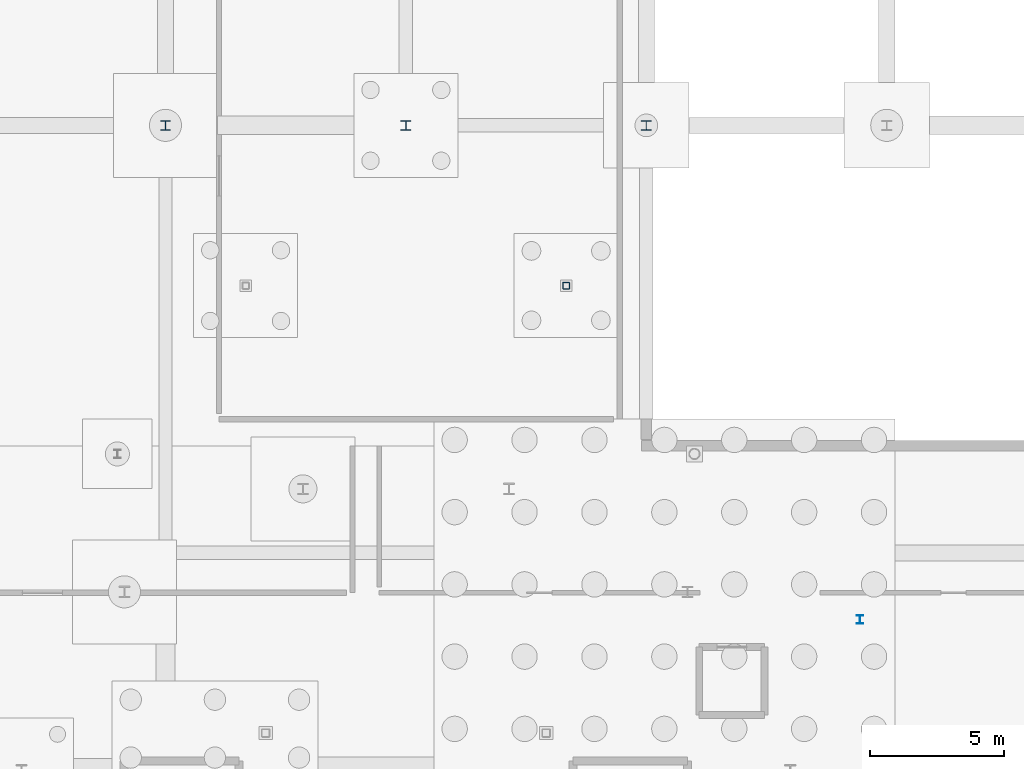
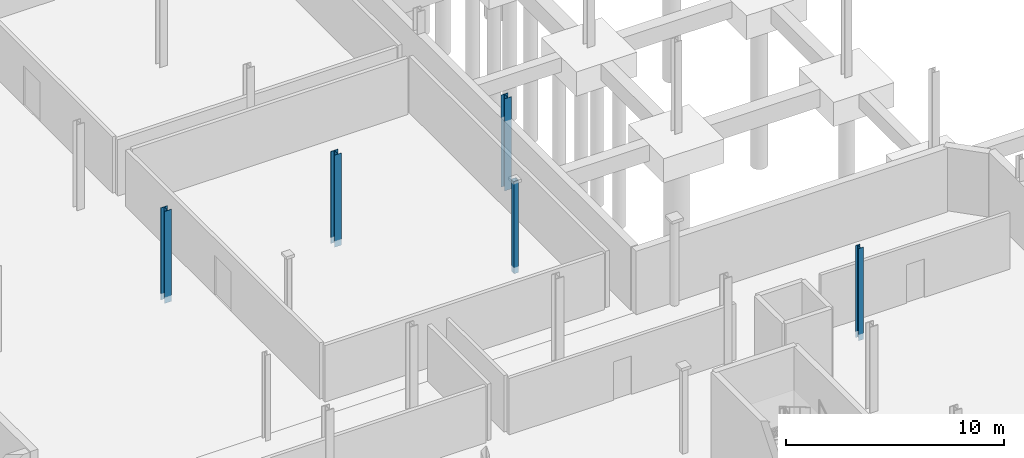
# One storey, part 18 of 37: 5 columns.
"""IFC4 building model written with IfcOpenShell, lengths in metres."""

import ifcopenshell
import ifcopenshell.guid

model = None  # the IFC model being written
_history = None  # IfcOwnerHistory: only IFC2X3 demands one
_inside = {}  # id of a spatial element -> (the spatial element, [elements in it])
_under = {}  # id of a project, library or spatial element -> (it, [spatial elements below it])
_declared = {}  # id of a project -> (the project, [libraries it declares])
_typed = {}  # id of a type object -> (the type object, [elements of that type])
_made_of = {}  # id of a material, layer set ... -> (it, [elements and type objects made of it])


def new_model(schema):
    """Start an empty IFC model of exactly this schema.

    Asked for "IFC4X3", IfcOpenShell would pick the latest addendum, in which some entities
    have other attributes; the version numbers below select the first issue.
    IFC2X3 requires an IfcOwnerHistory on every rooted entity: one is made here for all.
    """
    global model, _history
    if schema == "IFC4X3":
        model = ifcopenshell.file(schema_version=(4, 3, 0, 0))
    else:
        model = ifcopenshell.file(schema=schema)
    _inside.clear()
    _under.clear()
    _declared.clear()
    _typed.clear()
    _made_of.clear()
    _history = None
    if model.schema == "IFC2X3":
        org = make("IfcOrganization", Name="unknown")
        user = make(
            "IfcPersonAndOrganization",
            ThePerson=make("IfcPerson", FamilyName="unknown"),
            TheOrganization=org,
        )
        app = make(
            "IfcApplication",
            ApplicationDeveloper=org,
            Version="unknown",
            ApplicationFullName="unknown",
            ApplicationIdentifier="unknown",
        )
        _history = make(
            "IfcOwnerHistory",
            OwningUser=user,
            OwningApplication=app,
            ChangeAction="ADDED",
            CreationDate=0,
        )
    return model


def make(cls, **values):
    """One entity of the class cls with the attributes given. An attribute that is None is left unset."""
    return model.create_entity(
        cls, **{name: value for name, value in values.items() if value is not None}
    )


def rooted(cls, **values):
    """An entity with a GlobalId (a new one), such as an element, a storey or a relation."""
    return make(cls, GlobalId=ifcopenshell.guid.new(), OwnerHistory=_history, **values)


def si_unit(unit_type, name, prefix=None):
    """IfcSIUnit, for example si_unit("LENGTHUNIT", "METRE", prefix="MILLI")."""
    return make("IfcSIUnit", UnitType=unit_type, Prefix=prefix, Name=name)


def assignment(units):
    """IfcUnitAssignment: the units of a project."""
    return None if units is None else make("IfcUnitAssignment", Units=units)


def point(xyz):
    """IfcCartesianPoint."""
    return None if xyz is None else make("IfcCartesianPoint", Coordinates=xyz)


def direction(xyz):
    """IfcDirection."""
    return None if xyz is None else make("IfcDirection", DirectionRatios=xyz)


def frame(location, z_axis=None, x_axis=None):
    """IfcAxis2Placement3D, a coordinate frame: its origin and axes. An axis left out is left unset."""
    return make(
        "IfcAxis2Placement3D",
        Location=point(location),
        Axis=direction(z_axis),
        RefDirection=direction(x_axis),
    )


def frame_2d(location, x_axis=None):
    """IfcAxis2Placement2D, a coordinate frame in the plane: its origin and x axis."""
    return make(
        "IfcAxis2Placement2D", Location=point(location), RefDirection=direction(x_axis)
    )


def origin():
    """The frame at (0, 0, 0) with its axes left unset."""
    return frame((0.0, 0.0, 0.0))


def origin_2d():
    """The frame at (0, 0) in the plane with its x axis left unset."""
    return frame_2d((0.0, 0.0))


def place(relative_to, where):
    """IfcLocalPlacement: puts the frame where relative to a parent placement (None: the world)."""
    return make(
        "IfcLocalPlacement", PlacementRelTo=relative_to, RelativePlacement=where
    )


def context(
    kind, dimensions, precision=None, world=None, true_north=None, identifier=None
):
    """IfcGeometricRepresentationContext, for example the 3D "Model" context."""
    return make(
        "IfcGeometricRepresentationContext",
        ContextIdentifier=identifier,
        ContextType=kind,
        CoordinateSpaceDimension=dimensions,
        Precision=precision,
        WorldCoordinateSystem=world,
        TrueNorth=true_north,
    )


def subcontext(parent, identifier, kind, view, scale=None):
    """IfcGeometricRepresentationSubContext, for example "Body" below "Model"."""
    return make(
        "IfcGeometricRepresentationSubContext",
        ContextIdentifier=identifier,
        ContextType=kind,
        ParentContext=parent,
        TargetScale=scale,
        TargetView=view,
    )


def project(units=None, contexts=None):
    """IfcProject with its units and contexts."""
    return rooted(
        "IfcProject",
        Name="project",
        RepresentationContexts=contexts,
        UnitsInContext=assignment(units),
    )


def spatial(cls, under=None, at=None, **own):
    """A site, building, storey or space (cls), placed at a placement, below another one or the project."""
    s = rooted(cls, ObjectPlacement=at, **own)
    if under is not None:
        _under.setdefault(under.id(), (under, []))[1].append(s)
    return s


def profile(cls, at=None, kind="AREA", **sizes):
    """A parametric profile (cls). Its sizes go by their IFC names, for example OverallWidth=200.0."""
    return make(cls, ProfileType=kind, Position=at, **sizes)


def hollow_rectangle(**sizes):
    """IfcRectangleHollowProfileDef."""
    return profile("IfcRectangleHollowProfileDef", **sizes)


def i_section(**sizes):
    """IfcIShapeProfileDef."""
    return profile("IfcIShapeProfileDef", **sizes)


def extrude(swept, where, along, depth):
    """IfcExtrudedAreaSolid: the profile swept, set in the frame where, extruded along a direction by depth."""
    return make(
        "IfcExtrudedAreaSolid",
        SweptArea=swept,
        Position=where,
        ExtrudedDirection=direction(along),
        Depth=depth,
    )


def shape(context_of_items, identifier, shape_type, items):
    """IfcShapeRepresentation: the items that make up one representation, for example the "Body"."""
    return make(
        "IfcShapeRepresentation",
        ContextOfItems=context_of_items,
        RepresentationIdentifier=identifier,
        RepresentationType=shape_type,
        Items=items,
    )


def material(Name=None, Category=None):
    """IfcMaterial."""
    return make("IfcMaterial", Name=Name, Category=Category)


def material_profile(
    of_material, cross_section, Name=None, Category=None, Priority=None
):
    """IfcMaterialProfile: a cross section and its material."""
    return make(
        "IfcMaterialProfile",
        Name=Name,
        Material=of_material,
        Profile=cross_section,
        Priority=Priority,
        Category=Category,
    )


def profile_set(profiles, Name=None, composite=None):
    """IfcMaterialProfileSet."""
    return make(
        "IfcMaterialProfileSet",
        Name=Name,
        MaterialProfiles=profiles,
        CompositeProfile=composite,
    )


def made_of(thing, what):
    """Note that an element or type object is made of a material, layer set ...; save() writes the relation."""
    if what is not None:
        _made_of.setdefault(what.id(), (what, []))[1].append(thing)
    return thing


def type_object(cls, material=None, **own):
    """A type object (cls), such as IfcWallType, which elements share."""
    return made_of(rooted(cls, **own), material)


def element(
    cls,
    number,
    at=None,
    inside=None,
    cuts=None,
    type_object=None,
    material=None,
    context=None,
    identifier="Body",
    shape_type=None,
    held_by="IfcProductDefinitionShape",
    body=None,
    shapes=None,
    **own,
):
    """One element of the class cls, such as IfcWall. Its Tag is "e" and its number.

    at: its placement. inside: the storey or other place that contains it. cuts: it is an
    opening in that element (IfcRelVoidsElement). A single representation is given by context,
    identifier, shape_type and body (its items); several are given by shapes. held_by: the class
    of the entity that holds the representations. save() writes the other relations.
    """
    e = rooted(cls, Tag="e%d" % number, ObjectPlacement=at, **own)
    if body is not None:
        shapes = [shape(context, identifier, shape_type, body)]
    if shapes is not None:
        e.Representation = make(held_by, Representations=shapes)
    if inside is not None:
        _inside.setdefault(inside.id(), (inside, []))[1].append(e)
    if cuts is not None:
        rooted(
            "IfcRelVoidsElement", RelatingBuildingElement=cuts, RelatedOpeningElement=e
        )
    if type_object is not None:
        _typed.setdefault(type_object.id(), (type_object, []))[1].append(e)
    return made_of(e, material)


def aggregate(whole, parts):
    """IfcRelAggregates: a whole, such as a stair, and the parts it consists of."""
    return rooted("IfcRelAggregates", RelatingObject=whole, RelatedObjects=parts)


def save(model, path):
    """Write the relations noted so far, then the file.

    IfcRelAggregates (storeys below a building ...), IfcRelContainedInSpatialStructure (elements
    in a storey), IfcRelDefinesByType, IfcRelAssociatesMaterial and IfcRelDeclares: one each for
    every whole, place, type object, material and project.
    """
    for whole, parts in _under.values():
        aggregate(whole, parts)
    for where, things in _inside.values():
        rooted(
            "IfcRelContainedInSpatialStructure",
            RelatedElements=things,
            RelatingStructure=where,
        )
    for kind, things in _typed.values():
        rooted("IfcRelDefinesByType", RelatedObjects=things, RelatingType=kind)
    for what, things in _made_of.values():
        rooted("IfcRelAssociatesMaterial", RelatedObjects=things, RelatingMaterial=what)
    for by, libraries in _declared.values():
        rooted("IfcRelDeclares", RelatingContext=by, RelatedDefinitions=libraries)
    model.write(path)


model = new_model("IFC4")

# Units and contexts
model_context = context("Model", 3, precision=1e-05, world=origin(), true_north=direction((0.0, 1.0)))
body_context = subcontext(model_context, "Body", "Model", "MODEL_VIEW")
ifc_project = project(units=[si_unit("LENGTHUNIT", "METRE"), si_unit("AREAUNIT", "SQUARE_METRE"), si_unit("VOLUMEUNIT", "CUBIC_METRE"), si_unit("PLANEANGLEUNIT", "RADIAN"), si_unit("MASSUNIT", "GRAM", prefix="KILO"), si_unit("THERMODYNAMICTEMPERATUREUNIT", "KELVIN"), si_unit("POWERUNIT", "WATT")], contexts=[model_context])

# Site, building, storey
site_placement = place(None, origin())
site = spatial("IfcSite", under=ifc_project, at=site_placement, CompositionType="ELEMENT")
building_placement = place(site_placement, origin())
building = spatial("IfcBuilding", under=site, at=building_placement, Name="Zelmaris Science Centre", CompositionType="ELEMENT")
storey_placement = place(building_placement, frame((0.0, 0.0, -4.800048828125)))
storey = spatial("IfcBuildingStorey", under=building, at=storey_placement, Name="B1", CompositionType="ELEMENT", Elevation=-4.800048828125)

# Columns
ifc_material_1 = material(Name="Steel ASTM A992 Grade 50", Category="steel")
ifc_material_profile_1 = material_profile(ifc_material_1, i_section(OverallWidth=0.367919921875, OverallDepth=0.35595703125, WebThickness=0.01123046875, FlangeThickness=0.01806640625, FilletRadius=0.014892578125, at=origin_2d()), Name="W14X90")
ifc_profile_set_1 = profile_set([ifc_material_profile_1], Name="Steel ASTM A992 Grade 50")
column_type_1 = type_object("IfcColumnType", Name="Column C-07 W14X90", PredefinedType="COLUMN", material=ifc_profile_set_1)
for number, where, z_axis, x_axis, name in (
    (1, (72.0, 64.0, -0.349853515625), (0.0, 0.0, 1.0), (1.0, 0.0, 0.0), "Column V5-C-72-64 B1"),
    (2, (81.0, 64.0, -0.349853515625), (0.0, 0.0, 1.0), (1.0, 0.0, 0.0), "Column V5-C-81-64 B1"),
    (3, (90.0, 64.0, -0.349853515625), (0.0, 0.0, 1.0), (1.0, 0.0, 0.0), "Column V5-C-90-64 B1"),
):
    element("IfcColumn", number, at=place(storey_placement, frame(where, z_axis=z_axis, x_axis=x_axis)), inside=storey, type_object=column_type_1, Name=name, PredefinedType="COLUMN", context=body_context, shape_type="SweptSolid", body=[
        extrude(i_section(OverallWidth=0.367919921875, OverallDepth=0.35595703125, WebThickness=0.01123046875, FlangeThickness=0.01806640625, FilletRadius=0.014892578125, at=origin_2d()), origin(), (0.0, 0.0, 1.0), 5.14990234375),
    ])
ifc_material_profile_2 = material_profile(ifc_material_1, i_section(OverallWidth=0.25390625, OverallDepth=0.306884765625, WebThickness=0.0087890625, FlangeThickness=0.0146484375, FilletRadius=0.012939453125, at=origin_2d()), Name="W12X53")
ifc_profile_set_2 = profile_set([ifc_material_profile_2], Name="Steel ASTM A992 Grade 50")
column_type_2 = type_object("IfcColumnType", Name="Column C-09 W12X53", PredefinedType="COLUMN", material=ifc_profile_set_2)
column_1_placement = place(storey_placement, frame((98.0, 45.5, -0.349853515625), z_axis=(0.0, 0.0, 1.0), x_axis=(1.0, 0.0, 0.0)))
element("IfcColumn", 4, at=column_1_placement, inside=storey, type_object=column_type_2, Name="Column V2-B1P04 B1", PredefinedType="COLUMN", context=body_context, shape_type="SweptSolid", body=[
    extrude(i_section(OverallWidth=0.25390625, OverallDepth=0.306884765625, WebThickness=0.0087890625, FlangeThickness=0.0146484375, FilletRadius=0.012939453125, at=origin_2d()), origin(), (0.0, 0.0, 1.0), 5.14990234375),
])
ifc_material_2 = material(Name="Steel ASTM A500 Grade C", Category="steel")
ifc_material_profile_3 = material_profile(ifc_material_2, hollow_rectangle(XDim=0.25390625, YDim=0.25390625, WallThickness=0.01171875, InnerFilletRadius=0.01171875, OuterFilletRadius=0.023681640625, at=origin_2d()), Name="HSS254X254X13")
ifc_profile_set_3 = profile_set([ifc_material_profile_3], Name="Steel ASTM A500 Grade C")
column_type_3 = type_object("IfcColumnType", Name="Column C-11 HSS254X254X13", PredefinedType="COLUMN", material=ifc_profile_set_3)
column_2_placement = place(storey_placement, frame((87.0, 58.0, -0.349853515625), z_axis=(0.0, 0.0, 1.0), x_axis=(1.0, 0.0, 0.0)))
element("IfcColumn", 5, at=column_2_placement, inside=storey, type_object=column_type_3, Name="Column LK-N-87 B1", PredefinedType="COLUMN", context=body_context, shape_type="SweptSolid", body=[
    extrude(hollow_rectangle(XDim=0.25390625, YDim=0.25390625, WallThickness=0.01171875, InnerFilletRadius=0.01171875, OuterFilletRadius=0.023681640625, at=origin_2d()), origin(), (0.0, 0.0, 1.0), 5.14990234375),
])

save(model, "model.ifc")
